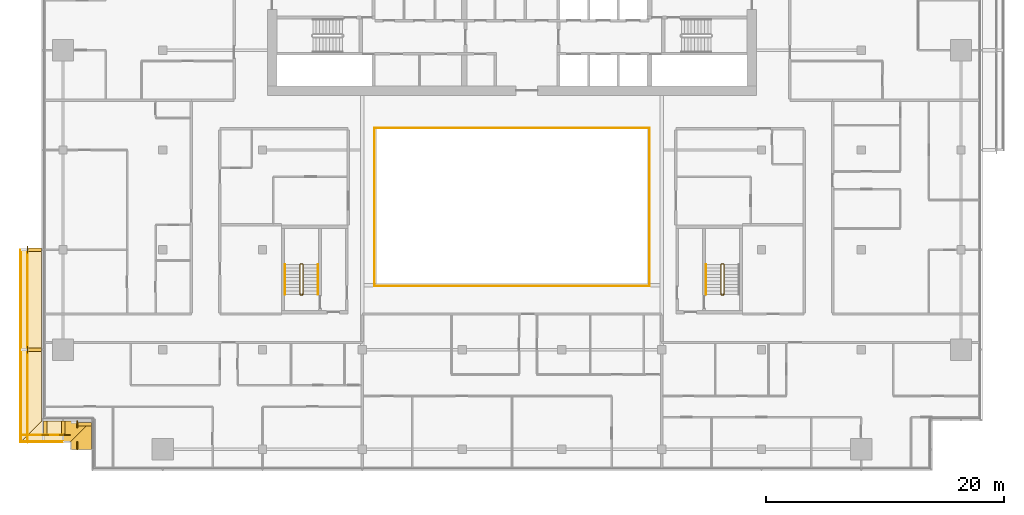
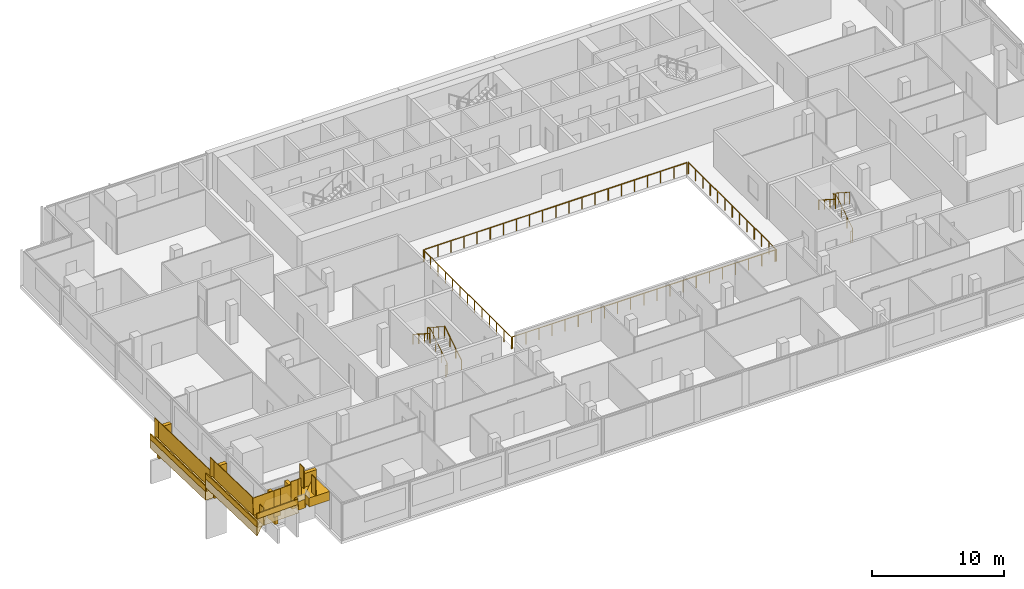
# One storey, part 25 of 29: 19 railings, 13 coverings.
"""IFC4 building model written with IfcOpenShell, lengths in metres."""

from ifc_helpers import new_model, si_unit, direction, frame, origin, origin_2d, place, context, subcontext, project, spatial, polyline, rectangle, circle, outline, extrude, material, layer, layer_set, type_object, element, save


model = new_model("IFC4")

# Units and contexts
model_context = context("Model", 3, precision=1e-05, world=origin(), true_north=direction((0.0, 1.0)))
body_context = subcontext(model_context, "Body", "Model", "MODEL_VIEW")
ifc_project = project(units=[si_unit("LENGTHUNIT", "METRE"), si_unit("AREAUNIT", "SQUARE_METRE"), si_unit("VOLUMEUNIT", "CUBIC_METRE"), si_unit("PLANEANGLEUNIT", "RADIAN"), si_unit("MASSUNIT", "GRAM", prefix="KILO")], contexts=[model_context])

# Site, building, storey
site_placement = place(None, origin())
site = spatial("IfcSite", under=ifc_project, at=site_placement, CompositionType="ELEMENT")
building_placement = place(site_placement, origin())
building = spatial("IfcBuilding", under=site, at=building_placement, Name="Saffron Gate Tower", CompositionType="ELEMENT")
storey_placement = place(building_placement, frame((0.0, 0.0, 187.050048828125)))
storey = spatial("IfcBuildingStorey", under=building, at=storey_placement, Name="L46", CompositionType="ELEMENT", Elevation=187.050048828125)

# Railings
ifc_material_1 = material(Name="Stainless steel and laminated glass", Category="steel")
railing_type_1 = type_object("IfcRailingType", Name="AG1 Atrium edge guard 1100", PredefinedType="GUARDRAIL", material=ifc_material_1)
railing_1_placement = place(storey_placement, frame((76.02001953125, 45.5400390625, 0.0)))
element("IfcRailing", 1, at=railing_1_placement, inside=storey, type_object=railing_type_1, Name="Guard C4-1", PredefinedType="GUARDRAIL", context=body_context, shape_type="SweptSolid", body=[
    extrude(circle(Radius=0.02392578125, at=origin_2d()), frame((0.0, 0.0, 1.076171875), z_axis=(0.0, 1.0, 0.0), x_axis=(-1.0, 0.0, 0.0)), (0.0, 0.0, 1.0), 13.320068359375),
    extrude(circle(Radius=0.02099609375, at=origin_2d()), origin(), (0.0, 0.0, 1.0), 1.052001953125),
    extrude(circle(Radius=0.02099609375, at=origin_2d()), frame((0.0, 1.110107421875, 0.0)), (0.0, 0.0, 1.0), 1.052001953125),
    extrude(circle(Radius=0.02099609375, at=origin_2d()), frame((0.0, 2.219970703125, 0.0)), (0.0, 0.0, 1.0), 1.052001953125),
    extrude(circle(Radius=0.02099609375, at=origin_2d()), frame((0.0, 3.330078125, 0.0)), (0.0, 0.0, 1.0), 1.052001953125),
    extrude(circle(Radius=0.02099609375, at=origin_2d()), frame((0.0, 4.43994140625, 0.0)), (0.0, 0.0, 1.0), 1.052001953125),
    extrude(circle(Radius=0.02099609375, at=origin_2d()), frame((0.0, 5.550048828125, 0.0)), (0.0, 0.0, 1.0), 1.052001953125),
    extrude(circle(Radius=0.02099609375, at=origin_2d()), frame((0.0, 6.66015625, 0.0)), (0.0, 0.0, 1.0), 1.052001953125),
    extrude(circle(Radius=0.02099609375, at=origin_2d()), frame((0.0, 7.77001953125, 0.0)), (0.0, 0.0, 1.0), 1.052001953125),
    extrude(circle(Radius=0.02099609375, at=origin_2d()), frame((0.0, 8.880126953125, 0.0)), (0.0, 0.0, 1.0), 1.052001953125),
    extrude(circle(Radius=0.02099609375, at=origin_2d()), frame((0.0, 9.989990234375, 0.0)), (0.0, 0.0, 1.0), 1.052001953125),
    extrude(circle(Radius=0.02099609375, at=origin_2d()), frame((0.0, 11.10009765625, 0.0)), (0.0, 0.0, 1.0), 1.052001953125),
    extrude(circle(Radius=0.02099609375, at=origin_2d()), frame((0.0, 12.2099609375, 0.0)), (0.0, 0.0, 1.0), 1.052001953125),
    extrude(circle(Radius=0.02099609375, at=origin_2d()), frame((0.0, 13.320068359375, 0.0)), (0.0, 0.0, 1.0), 1.052001953125),
])
railing_2_placement = place(storey_placement, frame((76.139892578125, 58.860107421875, 0.0)))
element("IfcRailing", 2, at=railing_2_placement, inside=storey, type_object=railing_type_1, Name="Guard C4-2", PredefinedType="GUARDRAIL", context=body_context, shape_type="SweptSolid", body=[
    extrude(circle(Radius=0.02392578125, at=origin_2d()), frame((0.0, 0.0, 1.076171875), z_axis=(1.0, 0.0, 0.0), x_axis=(0.0, 1.0, 0.0)), (0.0, 0.0, 1.0), 22.920166015625),
    extrude(circle(Radius=0.02099609375, at=origin_2d()), origin(), (0.0, 0.0, 1.0), 1.052001953125),
    extrude(circle(Radius=0.02099609375, at=origin_2d()), frame((1.14599609375, 0.0, 0.0)), (0.0, 0.0, 1.0), 1.052001953125),
    extrude(circle(Radius=0.02099609375, at=origin_2d()), frame((2.2919921875, 0.0, 0.0)), (0.0, 0.0, 1.0), 1.052001953125),
    extrude(circle(Radius=0.02099609375, at=origin_2d()), frame((3.43798828125, 0.0, 0.0)), (0.0, 0.0, 1.0), 1.052001953125),
    extrude(circle(Radius=0.02099609375, at=origin_2d()), frame((4.583984375, 0.0, 0.0)), (0.0, 0.0, 1.0), 1.052001953125),
    extrude(circle(Radius=0.02099609375, at=origin_2d()), frame((5.72998046875, 0.0, 0.0)), (0.0, 0.0, 1.0), 1.052001953125),
    extrude(circle(Radius=0.02099609375, at=origin_2d()), frame((6.8759765625, 0.0, 0.0)), (0.0, 0.0, 1.0), 1.052001953125),
    extrude(circle(Radius=0.02099609375, at=origin_2d()), frame((8.02197265625, 0.0, 0.0)), (0.0, 0.0, 1.0), 1.052001953125),
    extrude(circle(Radius=0.02099609375, at=origin_2d()), frame((9.16796875, 0.0, 0.0)), (0.0, 0.0, 1.0), 1.052001953125),
    extrude(circle(Radius=0.02099609375, at=origin_2d()), frame((10.31396484375, 0.0, 0.0)), (0.0, 0.0, 1.0), 1.052001953125),
    extrude(circle(Radius=0.02099609375, at=origin_2d()), frame((11.4599609375, 0.0, 0.0)), (0.0, 0.0, 1.0), 1.052001953125),
    extrude(circle(Radius=0.02099609375, at=origin_2d()), frame((12.606201171875, 0.0, 0.0)), (0.0, 0.0, 1.0), 1.052001953125),
    extrude(circle(Radius=0.02099609375, at=origin_2d()), frame((13.752197265625, 0.0, 0.0)), (0.0, 0.0, 1.0), 1.052001953125),
    extrude(circle(Radius=0.02099609375, at=origin_2d()), frame((14.898193359375, 0.0, 0.0)), (0.0, 0.0, 1.0), 1.052001953125),
    extrude(circle(Radius=0.02099609375, at=origin_2d()), frame((16.044189453125, 0.0, 0.0)), (0.0, 0.0, 1.0), 1.052001953125),
    extrude(circle(Radius=0.02099609375, at=origin_2d()), frame((17.190185546875, 0.0, 0.0)), (0.0, 0.0, 1.0), 1.052001953125),
    extrude(circle(Radius=0.02099609375, at=origin_2d()), frame((18.336181640625, 0.0, 0.0)), (0.0, 0.0, 1.0), 1.052001953125),
    extrude(circle(Radius=0.02099609375, at=origin_2d()), frame((19.482177734375, 0.0, 0.0)), (0.0, 0.0, 1.0), 1.052001953125),
    extrude(circle(Radius=0.02099609375, at=origin_2d()), frame((20.628173828125, 0.0, 0.0)), (0.0, 0.0, 1.0), 1.052001953125),
    extrude(circle(Radius=0.02099609375, at=origin_2d()), frame((21.774169921875, 0.0, 0.0)), (0.0, 0.0, 1.0), 1.052001953125),
    extrude(circle(Radius=0.02099609375, at=origin_2d()), frame((22.920166015625, 0.0, 0.0)), (0.0, 0.0, 1.0), 1.052001953125),
])
railing_3_placement = place(storey_placement, frame((99.179931640625, 58.860107421875, 0.0)))
element("IfcRailing", 3, at=railing_3_placement, inside=storey, type_object=railing_type_1, Name="Guard C4-3", PredefinedType="GUARDRAIL", context=body_context, shape_type="SweptSolid", body=[
    extrude(circle(Radius=0.02392578125, at=origin_2d()), frame((0.0, 0.0, 1.076171875), z_axis=(0.0, -1.0, 0.0), x_axis=(1.0, 0.0, 0.0)), (0.0, 0.0, 1.0), 13.320068359375),
    extrude(circle(Radius=0.02099609375, at=origin_2d()), origin(), (0.0, 0.0, 1.0), 1.052001953125),
    extrude(circle(Radius=0.02099609375, at=origin_2d()), frame((0.0, -1.110107421875, 0.0)), (0.0, 0.0, 1.0), 1.052001953125),
    extrude(circle(Radius=0.02099609375, at=origin_2d()), frame((0.0, -2.219970703125, 0.0)), (0.0, 0.0, 1.0), 1.052001953125),
    extrude(circle(Radius=0.02099609375, at=origin_2d()), frame((0.0, -3.330078125, 0.0)), (0.0, 0.0, 1.0), 1.052001953125),
    extrude(circle(Radius=0.02099609375, at=origin_2d()), frame((0.0, -4.43994140625, 0.0)), (0.0, 0.0, 1.0), 1.052001953125),
    extrude(circle(Radius=0.02099609375, at=origin_2d()), frame((0.0, -5.550048828125, 0.0)), (0.0, 0.0, 1.0), 1.052001953125),
    extrude(circle(Radius=0.02099609375, at=origin_2d()), frame((0.0, -6.66015625, 0.0)), (0.0, 0.0, 1.0), 1.052001953125),
    extrude(circle(Radius=0.02099609375, at=origin_2d()), frame((0.0, -7.77001953125, 0.0)), (0.0, 0.0, 1.0), 1.052001953125),
    extrude(circle(Radius=0.02099609375, at=origin_2d()), frame((0.0, -8.880126953125, 0.0)), (0.0, 0.0, 1.0), 1.052001953125),
    extrude(circle(Radius=0.02099609375, at=origin_2d()), frame((0.0, -9.989990234375, 0.0)), (0.0, 0.0, 1.0), 1.052001953125),
    extrude(circle(Radius=0.02099609375, at=origin_2d()), frame((0.0, -11.10009765625, 0.0)), (0.0, 0.0, 1.0), 1.052001953125),
    extrude(circle(Radius=0.02099609375, at=origin_2d()), frame((0.0, -12.2099609375, 0.0)), (0.0, 0.0, 1.0), 1.052001953125),
    extrude(circle(Radius=0.02099609375, at=origin_2d()), frame((0.0, -13.320068359375, 0.0)), (0.0, 0.0, 1.0), 1.052001953125),
])
railing_4_placement = place(storey_placement, frame((99.06005859375, 45.5400390625, 0.0)))
element("IfcRailing", 4, at=railing_4_placement, inside=storey, type_object=railing_type_1, Name="Guard C4-4", PredefinedType="GUARDRAIL", context=body_context, shape_type="SweptSolid", body=[
    extrude(circle(Radius=0.02392578125, at=origin_2d()), frame((0.0, 0.0, 1.076171875), z_axis=(-1.0, 0.0, 0.0), x_axis=(0.0, -1.0, 0.0)), (0.0, 0.0, 1.0), 22.920166015625),
    extrude(circle(Radius=0.02099609375, at=origin_2d()), origin(), (0.0, 0.0, 1.0), 1.052001953125),
    extrude(circle(Radius=0.02099609375, at=origin_2d()), frame((-1.14599609375, 0.0, 0.0)), (0.0, 0.0, 1.0), 1.052001953125),
    extrude(circle(Radius=0.02099609375, at=origin_2d()), frame((-2.2919921875, 0.0, 0.0)), (0.0, 0.0, 1.0), 1.052001953125),
    extrude(circle(Radius=0.02099609375, at=origin_2d()), frame((-3.43798828125, 0.0, 0.0)), (0.0, 0.0, 1.0), 1.052001953125),
    extrude(circle(Radius=0.02099609375, at=origin_2d()), frame((-4.583984375, 0.0, 0.0)), (0.0, 0.0, 1.0), 1.052001953125),
    extrude(circle(Radius=0.02099609375, at=origin_2d()), frame((-5.72998046875, 0.0, 0.0)), (0.0, 0.0, 1.0), 1.052001953125),
    extrude(circle(Radius=0.02099609375, at=origin_2d()), frame((-6.8759765625, 0.0, 0.0)), (0.0, 0.0, 1.0), 1.052001953125),
    extrude(circle(Radius=0.02099609375, at=origin_2d()), frame((-8.02197265625, 0.0, 0.0)), (0.0, 0.0, 1.0), 1.052001953125),
    extrude(circle(Radius=0.02099609375, at=origin_2d()), frame((-9.16796875, 0.0, 0.0)), (0.0, 0.0, 1.0), 1.052001953125),
    extrude(circle(Radius=0.02099609375, at=origin_2d()), frame((-10.31396484375, 0.0, 0.0)), (0.0, 0.0, 1.0), 1.052001953125),
    extrude(circle(Radius=0.02099609375, at=origin_2d()), frame((-11.4599609375, 0.0, 0.0)), (0.0, 0.0, 1.0), 1.052001953125),
    extrude(circle(Radius=0.02099609375, at=origin_2d()), frame((-12.606201171875, 0.0, 0.0)), (0.0, 0.0, 1.0), 1.052001953125),
    extrude(circle(Radius=0.02099609375, at=origin_2d()), frame((-13.752197265625, 0.0, 0.0)), (0.0, 0.0, 1.0), 1.052001953125),
    extrude(circle(Radius=0.02099609375, at=origin_2d()), frame((-14.898193359375, 0.0, 0.0)), (0.0, 0.0, 1.0), 1.052001953125),
    extrude(circle(Radius=0.02099609375, at=origin_2d()), frame((-16.044189453125, 0.0, 0.0)), (0.0, 0.0, 1.0), 1.052001953125),
    extrude(circle(Radius=0.02099609375, at=origin_2d()), frame((-17.190185546875, 0.0, 0.0)), (0.0, 0.0, 1.0), 1.052001953125),
    extrude(circle(Radius=0.02099609375, at=origin_2d()), frame((-18.336181640625, 0.0, 0.0)), (0.0, 0.0, 1.0), 1.052001953125),
    extrude(circle(Radius=0.02099609375, at=origin_2d()), frame((-19.482177734375, 0.0, 0.0)), (0.0, 0.0, 1.0), 1.052001953125),
    extrude(circle(Radius=0.02099609375, at=origin_2d()), frame((-20.628173828125, 0.0, 0.0)), (0.0, 0.0, 1.0), 1.052001953125),
    extrude(circle(Radius=0.02099609375, at=origin_2d()), frame((-21.774169921875, 0.0, 0.0)), (0.0, 0.0, 1.0), 1.052001953125),
    extrude(circle(Radius=0.02099609375, at=origin_2d()), frame((-22.920166015625, 0.0, 0.0)), (0.0, 0.0, 1.0), 1.052001953125),
])
railing_type_2 = type_object("IfcRailingType", Name="CR1 Stair guard 1100", PredefinedType="GUARDRAIL", material=ifc_material_1)
railing_5_placement = place(storey_placement, frame((69.800048828125, 44.800048828125, 0.0)))
element("IfcRailing", 5, at=railing_5_placement, inside=storey, type_object=railing_type_2, Name="L46 ST-D stair guard 1", PredefinedType="GUARDRAIL", context=body_context, shape_type="SweptSolid", body=[
    extrude(circle(Radius=0.02392578125, at=origin_2d()), frame((0.0, 0.0, 1.076171875), z_axis=(1.0, 0.0, 0.0), x_axis=(0.0, 1.0, 0.0)), (0.0, 0.0, 1.0), 0.14990234375),
    extrude(circle(Radius=0.02392578125, at=origin_2d()), frame((0.14990234375, 0.0, 1.076171875), z_axis=(0.258847668887, 0.258847668887, 0.930588936439), x_axis=(-0.707106781187, 0.707106781187, 0.0)), (0.0, 0.0, 1.0), 0.193359375),
    extrude(circle(Radius=0.02392578125, at=origin_2d()), frame((0.199951171875, 0.050048828125, 1.255859375), z_axis=(0.0, 0.841162588446, 0.540782303519), x_axis=(-1.0, 0.0, 0.0)), (0.0, 0.0, 1.0), 2.995849609375),
    extrude(circle(Radius=0.02392578125, at=origin_2d()), frame((0.199951171875, 2.570068359375, 2.8759765625), z_axis=(-0.708833529934, 0.705375805398, 0.0), x_axis=(-0.705375805398, -0.708833529934, 0.0)), (0.0, 0.0, 1.0), 0.070556640625),
    extrude(circle(Radius=0.02392578125, at=origin_2d()), frame((0.14990234375, 2.619873046875, 2.8759765625), z_axis=(-1.0, 0.0, 0.0), x_axis=(0.0, -1.0, 0.0)), (0.0, 0.0, 1.0), 0.14990234375),
    extrude(circle(Radius=0.02392578125, at=origin_2d()), frame((0.0, 2.619873046875, 2.8759765625), z_axis=(-0.258932105505, -0.257669022063, 0.930892496375), x_axis=(0.705375805398, -0.708833529934, 0.0)), (0.0, 0.0, 1.0), 0.193359375),
    extrude(circle(Radius=0.02392578125, at=origin_2d()), frame((-0.050048828125, 2.570068359375, 3.05615234375), z_axis=(0.0, -0.841199657755, 0.540724639528), x_axis=(1.0, 0.0, 0.0)), (0.0, 0.0, 1.0), 2.995849609375),
    extrude(circle(Radius=0.02099609375, at=origin_2d()), origin(), (0.0, 0.0, 1.0), 1.052001953125),
    extrude(circle(Radius=0.02099609375, at=origin_2d()), frame((0.14990234375, 0.0, 0.0)), (0.0, 0.0, 1.0), 1.052001953125),
    extrude(circle(Radius=0.02099609375, at=origin_2d()), frame((0.199951171875, 0.050048828125, 0.179931640625)), (0.0, 0.0, 1.0), 1.052001953125),
    extrude(circle(Radius=0.02099609375, at=origin_2d()), frame((0.199951171875, 0.89013671875, 0.719970703125)), (0.0, 0.0, 1.0), 1.052001953125),
    extrude(circle(Radius=0.02099609375, at=origin_2d()), frame((0.199951171875, 1.72998046875, 1.260009765625)), (0.0, 0.0, 1.0), 1.052001953125),
    extrude(circle(Radius=0.02099609375, at=origin_2d()), frame((0.199951171875, 2.570068359375, 1.800048828125)), (0.0, 0.0, 1.0), 1.052001953125),
    extrude(circle(Radius=0.02099609375, at=origin_2d()), frame((0.14990234375, 2.619873046875, 1.800048828125)), (0.0, 0.0, 1.0), 1.052001953125),
    extrude(circle(Radius=0.02099609375, at=origin_2d()), frame((0.0, 2.619873046875, 1.800048828125)), (0.0, 0.0, 1.0), 1.052001953125),
    extrude(circle(Radius=0.02099609375, at=origin_2d()), frame((-0.050048828125, 2.570068359375, 1.97998046875)), (0.0, 0.0, 1.0), 1.052001953125),
    extrude(circle(Radius=0.02099609375, at=origin_2d()), frame((-0.050048828125, 1.72998046875, 2.52001953125)), (0.0, 0.0, 1.0), 1.052001953125),
    extrude(circle(Radius=0.02099609375, at=origin_2d()), frame((-0.050048828125, 0.89013671875, 3.059814453125)), (0.0, 0.0, 1.0), 1.052001953125),
    extrude(circle(Radius=0.02099609375, at=origin_2d()), frame((-0.050048828125, 0.050048828125, 3.599853515625)), (0.0, 0.0, 1.0), 1.052001953125),
])
railing_6_placement = place(storey_placement, frame((105.25, 44.800048828125, 0.0)))
element("IfcRailing", 6, at=railing_6_placement, inside=storey, type_object=railing_type_2, Name="L46 ST-E stair guard 1", PredefinedType="GUARDRAIL", context=body_context, shape_type="SweptSolid", body=[
    extrude(circle(Radius=0.02392578125, at=origin_2d()), frame((0.0, 0.0, 1.076171875), z_axis=(1.0, 0.0, 0.0), x_axis=(0.0, 1.0, 0.0)), (0.0, 0.0, 1.0), 0.14990234375),
    extrude(circle(Radius=0.02392578125, at=origin_2d()), frame((0.14990234375, 0.0, 1.076171875), z_axis=(0.258847668887, 0.258847668887, 0.930588936439), x_axis=(-0.707106781187, 0.707106781187, 0.0)), (0.0, 0.0, 1.0), 0.193359375),
    extrude(circle(Radius=0.02392578125, at=origin_2d()), frame((0.199951171875, 0.050048828125, 1.255859375), z_axis=(0.0, 0.841162588446, 0.540782303519), x_axis=(-1.0, 0.0, 0.0)), (0.0, 0.0, 1.0), 2.995849609375),
    extrude(circle(Radius=0.02392578125, at=origin_2d()), frame((0.199951171875, 2.570068359375, 2.8759765625), z_axis=(-0.708833529934, 0.705375805398, 0.0), x_axis=(-0.705375805398, -0.708833529934, 0.0)), (0.0, 0.0, 1.0), 0.070556640625),
    extrude(circle(Radius=0.02392578125, at=origin_2d()), frame((0.14990234375, 2.619873046875, 2.8759765625), z_axis=(-1.0, 0.0, 0.0), x_axis=(0.0, -1.0, 0.0)), (0.0, 0.0, 1.0), 0.14990234375),
    extrude(circle(Radius=0.02392578125, at=origin_2d()), frame((0.0, 2.619873046875, 2.8759765625), z_axis=(-0.258932105505, -0.257669022063, 0.930892496375), x_axis=(0.705375805398, -0.708833529934, 0.0)), (0.0, 0.0, 1.0), 0.193359375),
    extrude(circle(Radius=0.02392578125, at=origin_2d()), frame((-0.050048828125, 2.570068359375, 3.05615234375), z_axis=(0.0, -0.841199657755, 0.540724639528), x_axis=(1.0, 0.0, 0.0)), (0.0, 0.0, 1.0), 2.995849609375),
    extrude(circle(Radius=0.02099609375, at=origin_2d()), origin(), (0.0, 0.0, 1.0), 1.052001953125),
    extrude(circle(Radius=0.02099609375, at=origin_2d()), frame((0.14990234375, 0.0, 0.0)), (0.0, 0.0, 1.0), 1.052001953125),
    extrude(circle(Radius=0.02099609375, at=origin_2d()), frame((0.199951171875, 0.050048828125, 0.179931640625)), (0.0, 0.0, 1.0), 1.052001953125),
    extrude(circle(Radius=0.02099609375, at=origin_2d()), frame((0.199951171875, 0.89013671875, 0.719970703125)), (0.0, 0.0, 1.0), 1.052001953125),
    extrude(circle(Radius=0.02099609375, at=origin_2d()), frame((0.199951171875, 1.72998046875, 1.260009765625)), (0.0, 0.0, 1.0), 1.052001953125),
    extrude(circle(Radius=0.02099609375, at=origin_2d()), frame((0.199951171875, 2.570068359375, 1.800048828125)), (0.0, 0.0, 1.0), 1.052001953125),
    extrude(circle(Radius=0.02099609375, at=origin_2d()), frame((0.14990234375, 2.619873046875, 1.800048828125)), (0.0, 0.0, 1.0), 1.052001953125),
    extrude(circle(Radius=0.02099609375, at=origin_2d()), frame((0.0, 2.619873046875, 1.800048828125)), (0.0, 0.0, 1.0), 1.052001953125),
    extrude(circle(Radius=0.02099609375, at=origin_2d()), frame((-0.050048828125, 2.570068359375, 1.97998046875)), (0.0, 0.0, 1.0), 1.052001953125),
    extrude(circle(Radius=0.02099609375, at=origin_2d()), frame((-0.050048828125, 1.72998046875, 2.52001953125)), (0.0, 0.0, 1.0), 1.052001953125),
    extrude(circle(Radius=0.02099609375, at=origin_2d()), frame((-0.050048828125, 0.89013671875, 3.059814453125)), (0.0, 0.0, 1.0), 1.052001953125),
    extrude(circle(Radius=0.02099609375, at=origin_2d()), frame((-0.050048828125, 0.050048828125, 3.599853515625)), (0.0, 0.0, 1.0), 1.052001953125),
])
ifc_material_2 = material(Name="Stainless steel", Category="steel")
railing_type_3 = type_object("IfcRailingType", Name="CR2 Stair handrail 900", PredefinedType="HANDRAIL", material=ifc_material_2)
railing_7_placement = place(storey_placement, frame((71.25, 44.85009765625, 0.179931640625)))
element("IfcRailing", 7, at=railing_7_placement, inside=storey, type_object=railing_type_3, Name="L46 ST-D stair handrail 1", PredefinedType="HANDRAIL", context=body_context, shape_type="SweptSolid", body=[
    extrude(circle(Radius=0.02392578125, at=origin_2d()), frame((0.0, 0.0, 0.8759765625), z_axis=(0.0, 0.841162588446, 0.540782303519), x_axis=(-1.0, 0.0, 0.0)), (0.0, 0.0, 1.0), 2.995849609375),
    extrude(circle(Radius=0.02099609375, at=origin_2d()), origin(), (0.0, 0.0, 1.0), 0.851806640625),
    extrude(circle(Radius=0.02099609375, at=origin_2d()), frame((0.0, 0.840087890625, 0.5400390625)), (0.0, 0.0, 1.0), 0.851806640625),
    extrude(circle(Radius=0.02099609375, at=origin_2d()), frame((0.0, 1.679931640625, 1.080078125)), (0.0, 0.0, 1.0), 0.851806640625),
    extrude(circle(Radius=0.02099609375, at=origin_2d()), frame((0.0, 2.52001953125, 1.6201171875)), (0.0, 0.0, 1.0), 0.851806640625),
])
for number, where, name in (
    (8, (68.5, 47.3701171875, 1.97998046875), "L46 ST-D stair handrail 2"),
    (9, (103.949951171875, 47.3701171875, 1.97998046875), "L46 ST-E stair handrail 2"),
):
    element("IfcRailing", number, at=place(storey_placement, frame(where)), inside=storey, type_object=railing_type_3, Name=name, PredefinedType="HANDRAIL", context=body_context, shape_type="SweptSolid", body=[
        extrude(circle(Radius=0.02392578125, at=origin_2d()), frame((0.0, 0.0, 0.8759765625), z_axis=(0.0, -0.841199657755, 0.540724639528), x_axis=(1.0, 0.0, 0.0)), (0.0, 0.0, 1.0), 2.995849609375),
        extrude(circle(Radius=0.02099609375, at=origin_2d()), origin(), (0.0, 0.0, 1.0), 0.851806640625),
        extrude(circle(Radius=0.02099609375, at=origin_2d()), frame((0.0, -0.840087890625, 0.5400390625)), (0.0, 0.0, 1.0), 0.851806640625),
        extrude(circle(Radius=0.02099609375, at=origin_2d()), frame((0.0, -1.679931640625, 1.079833984375)), (0.0, 0.0, 1.0), 0.851806640625),
        extrude(circle(Radius=0.02099609375, at=origin_2d()), frame((0.0, -2.52001953125, 1.619873046875)), (0.0, 0.0, 1.0), 0.851806640625),
    ])

# Coverings
ifc_material_3 = material(Name="Timber, thermally modified ash", Category="wood")
ifc_layer_1 = layer(ifc_material_3, 0.800048828125)
ifc_layer_set_1 = layer_set([ifc_layer_1], Name="LD1 ledge timber")
covering_type_1 = type_object("IfcCoveringType", Name="LD1 ledge timber", PredefinedType="CLADDING", material=ifc_layer_set_1)
covering_1_placement = place(storey_placement, frame((48.0, 48.60009765625, 0.2431640625), z_axis=(0.0, 0.028790339263, 0.999585472266), x_axis=(0.0, -0.999585472266, 0.028790339263)))
element("IfcCovering", 10, at=covering_1_placement, inside=storey, type_object=covering_type_1, Name="LEDGE", PredefinedType="CLADDING", context=body_context, shape_type="SweptSolid", body=[
    extrude(outline(polyline([(0.0, 0.0), (8.403630022085892, 0.0), (8.403630022085892, -1.800048828125), (0.0, -1.800048828125), (0.0, 0.0)])), origin(), (0.0, 0.0, -1.0), 0.800048828125),
])
covering_2_placement = place(storey_placement, frame((48.0, 40.199951171875, 1.685302734375), z_axis=(3.5027307e-05, 0.028807146299, 0.99958498743), x_axis=(3.68e-10, -0.999584988043, 0.028807146316)))
element("IfcCovering", 11, at=covering_2_placement, inside=storey, type_object=covering_type_1, Name="LEDGE", PredefinedType="CLADDING", context=body_context, shape_type="SweptSolid", body=[
    extrude(outline(polyline([(0.0, 0.0), (6.0024892885105, -2.541098841762901e-21), (7.8032891020589235, -1.8000488321003227), (-6.622937652878055e-10, -1.8000488270207489), (0.0, 0.0)])), origin(), (0.0, 0.0, -1.0), 0.800048828125),
])
covering_3_placement = place(storey_placement, frame((48.0, 34.199951171875, 2.715576171875), z_axis=(-0.028831989003, 4.5191205e-05, 0.999584270769), x_axis=(0.999584271789, -2.041e-09, 0.028831989032)))
element("IfcCovering", 12, at=covering_3_placement, inside=storey, type_object=covering_type_1, Name="LEDGE", PredefinedType="CLADDING", context=body_context, shape_type="SweptSolid", body=[
    extrude(outline(polyline([(0.0, 0.0), (1.8007998167885757, 0.0), (1.8007998204631834, -1.80004882628693), (-1.8007927740541456, -1.800048837315338), (0.0, 0.0)])), origin(), (0.0, 0.0, -1.0), 0.800048828125),
])
covering_4_placement = place(storey_placement, frame((49.800048828125, 34.199951171875, 3.024658203125), z_axis=(-0.028798988267, 2.8677152e-05, 0.999585222706), x_axis=(0.999585223117, 6.17e-10, 0.028798988279)))
element("IfcCovering", 13, at=covering_4_placement, inside=storey, type_object=covering_type_1, Name="LEDGE", PredefinedType="CLADDING", context=body_context, shape_type="SweptSolid", body=[
    extrude(outline(polyline([(0.0, 0.0), (2.400896693585025, 4.235164736271502e-22), (0.6001039103565923, -1.8000488292351675), (-1.1098572600196767e-09, -1.8000488273848385), (0.0, 0.0)])), origin(), (0.0, 0.0, -1.0), 0.800048828125),
])
covering_5_placement = place(storey_placement, frame((52.199951171875, 34.199951171875, 3.436767578125), z_axis=(7.9786444e-05, 0.028717702301, 0.99958755855), x_axis=(-4.773e-09, -0.999587561732, 0.028717702392)))
element("IfcCovering", 14, at=covering_5_placement, inside=storey, type_object=covering_type_1, Name="LEDGE", PredefinedType="CLADDING", context=body_context, shape_type="SweptSolid", body=[
    extrude(outline(polyline([(0.0, 0.0), (2.400896689844359, 8.470329472543003e-22), (2.400896698435549, -1.8000488223955553), (1.8007998043088487, -1.800048836718559), (0.0, 0.0)])), origin(), (0.0, 0.0, -1.0), 0.800048828125),
])
ifc_layer_2 = layer(ifc_material_3, 0.080078125)
ifc_layer_set_2 = layer_set([ifc_layer_2], Name="LD2 ledge planter trough")
covering_type_2 = type_object("IfcCoveringType", Name="LD2 ledge planter trough", PredefinedType="CLADDING", material=ifc_layer_set_2)
covering_6_placement = place(storey_placement, frame((46.199951171875, 48.60009765625, 0.2431640625), z_axis=(-1.0, 0.0, 0.0), x_axis=(0.0, -0.999585472266, 0.028790339263)))
element("IfcCovering", 15, at=covering_6_placement, inside=storey, type_object=covering_type_2, Name="LEDGE planter trough", PredefinedType="CLADDING", context=body_context, shape_type="SweptSolid", body=[
    extrude(outline(polyline([(0.0, 0.0), (8.403630022085892, 0.0), (8.418025191717298, 0.4997927361329725), (0.014395169631405694, 0.4997927361329725), (0.0, 0.0)])), origin(), (0.0, 0.0, -1.0), 0.080078125),
])
covering_7_placement = place(storey_placement, frame((46.199951171875, 40.199951171875, 1.685302734375), z_axis=(-1.0, 0.0, 0.0), x_axis=(0.0, -0.999584755248, 0.028815222999)))
element("IfcCovering", 16, at=covering_7_placement, inside=storey, type_object=covering_type_2, Name="LEDGE planter trough", PredefinedType="CLADDING", context=body_context, shape_type="SweptSolid", body=[
    extrude(outline(polyline([(0.0, 0.0), (7.803289102975944, 0.0), (7.8176967144752565, 0.4997923776238338), (0.014407611499312996, 0.4997923776238338), (0.0, 0.0)])), origin(), (0.0, 0.0, -1.0), 0.080078125),
])
covering_8_placement = place(storey_placement, frame((46.199951171875, 32.39990234375, 2.663818359375), z_axis=(0.0, -1.0, 0.0), x_axis=(0.99958492274, 0.0, 0.028809412191)))
element("IfcCovering", 17, at=covering_8_placement, inside=storey, type_object=covering_type_2, Name="LEDGE planter trough", PredefinedType="CLADDING", context=body_context, shape_type="SweptSolid", body=[
    extrude(outline(polyline([(0.0, 0.0), (3.601592595435983, 0.0), (3.6159973015313485, 0.4997924613700232), (0.014404706095365512, 0.4997924613700232), (0.0, 0.0)])), origin(), (0.0, 0.0, -1.0), 0.080078125),
])
ifc_layer_3 = layer(ifc_material_3, 0.300048828125)
ifc_layer_set_3 = layer_set([ifc_layer_3], Name="LD3 ledge riser fin")
covering_type_3 = type_object("IfcCoveringType", Name="LD3 ledge riser fin", PredefinedType="CLADDING", material=ifc_layer_set_3)
for number, where, z_axis, x_axis, name in (
    (18, (47.43994140625, 48.60009765625, -1.75732421875), (0.0, 0.0, 1.0), (0.0, -1.0, 0.0), "LEDGE riser fin"),
    (19, (47.43994140625, 40.199951171875, -0.31494140625), (0.0, 0.0, 1.0), (0.0, -1.0, 0.0), "LEDGE riser fin"),
):
    element("IfcCovering", number, at=place(storey_placement, frame(where, z_axis=z_axis, x_axis=x_axis)), inside=storey, type_object=covering_type_3, Name=name, PredefinedType="CLADDING", context=body_context, shape_type="SweptSolid", body=[
        extrude(rectangle(XDim=0.300048828125, YDim=1.1201171875, at=origin_2d()), origin(), (0.0, 0.0, 1.0), 2.900390625),
    ])
covering_9_placement = place(storey_placement, frame((48.300048828125, 33.639892578125, 1.05810546875), z_axis=(0.0, 0.0, 1.0), x_axis=(1.0, 0.0, 0.0)))
element("IfcCovering", 20, at=covering_9_placement, inside=storey, type_object=covering_type_3, Name="LEDGE riser fin", PredefinedType="CLADDING", context=body_context, shape_type="SweptSolid", body=[
    extrude(rectangle(XDim=0.300048828125, YDim=1.1201171875, at=origin_2d()), origin(), (0.0, 0.0, 1.0), 2.557373046875),
])
covering_10_placement = place(storey_placement, frame((49.800048828125, 33.639892578125, 1.96728515625), z_axis=(0.0, 0.0, 1.0), x_axis=(1.0, 0.0, 0.0)))
element("IfcCovering", 21, at=covering_10_placement, inside=storey, type_object=covering_type_3, Name="LEDGE riser fin", PredefinedType="CLADDING", context=body_context, shape_type="SweptSolid", body=[
    extrude(rectangle(XDim=0.300048828125, YDim=1.1201171875, at=origin_2d()), origin(), (0.0, 0.0, 1.0), 1.957275390625),
])
covering_11_placement = place(storey_placement, frame((51.639892578125, 33.89990234375, 2.2939453125), z_axis=(0.0, 0.0, 1.0), x_axis=(0.0, -1.0, 0.0)))
element("IfcCovering", 22, at=covering_11_placement, inside=storey, type_object=covering_type_3, Name="LEDGE riser fin", PredefinedType="CLADDING", context=body_context, shape_type="SweptSolid", body=[
    extrude(rectangle(XDim=0.300048828125, YDim=1.1201171875, at=origin_2d()), origin(), (0.0, 0.0, 1.0), 2.04296875),
])

# Railings
railing_type_4 = type_object("IfcRailingType", Name="LG1 ledge balustrade", PredefinedType="BALUSTRADE", material=ifc_material_3)
railing_8_placement = place(storey_placement, frame((46.800048828125, 48.60009765625, 0.2431640625)))
element("IfcRailing", 23, at=railing_8_placement, inside=storey, type_object=railing_type_4, Name="LEDGE BALUSTRADE", PredefinedType="BALUSTRADE", context=body_context, shape_type="SweptSolid", body=[
    extrude(rectangle(XDim=0.06005859375, YDim=1.60009765625, at=origin_2d()), frame((0.0, 0.0, 0.800048828125), z_axis=(0.0, -0.999585472266, 0.028790339263), x_axis=(1.0, 0.0, 0.0)), (0.0, 0.0, 1.0), 8.403564453125),
])
railing_9_placement = place(storey_placement, frame((46.800048828125, 48.89990234375, -0.957275390625)))
element("IfcRailing", 24, at=railing_9_placement, inside=storey, type_object=railing_type_4, Name="LEDGE BALUSTRADE", PredefinedType="BALUSTRADE", context=body_context, shape_type="SweptSolid", body=[
    extrude(rectangle(XDim=0.06005859375, YDim=2.80029296875, at=origin_2d()), frame((0.0, 0.0, 1.400146484375), z_axis=(0.0, -1.0, 0.0), x_axis=(1.0, 0.0, 0.0)), (0.0, 0.0, 1.0), 0.599853515625),
])
railing_10_placement = place(storey_placement, frame((46.800048828125, 40.199951171875, 1.685302734375)))
element("IfcRailing", 25, at=railing_10_placement, inside=storey, type_object=railing_type_4, Name="LEDGE BALUSTRADE", PredefinedType="BALUSTRADE", context=body_context, shape_type="SweptSolid", body=[
    extrude(rectangle(XDim=0.06005859375, YDim=1.60009765625, at=origin_2d()), frame((0.0, 0.0, 0.800048828125), z_axis=(0.0, -0.999584755248, 0.028815222999), x_axis=(1.0, 0.0, 0.0)), (0.0, 0.0, 1.0), 7.80322265625),
])
railing_11_placement = place(storey_placement, frame((46.800048828125, 40.5, 0.485107421875)))
element("IfcRailing", 26, at=railing_11_placement, inside=storey, type_object=railing_type_4, Name="LEDGE BALUSTRADE", PredefinedType="BALUSTRADE", context=body_context, shape_type="SweptSolid", body=[
    extrude(rectangle(XDim=0.06005859375, YDim=2.80029296875, at=origin_2d()), frame((0.0, 0.0, 1.400146484375), z_axis=(0.0, -1.0, 0.0), x_axis=(1.0, 0.0, 0.0)), (0.0, 0.0, 1.0), 0.60009765625),
])
railing_12_placement = place(storey_placement, frame((46.199951171875, 33.0, 2.663818359375)))
element("IfcRailing", 27, at=railing_12_placement, inside=storey, type_object=railing_type_4, Name="LEDGE BALUSTRADE", PredefinedType="BALUSTRADE", context=body_context, shape_type="SweptSolid", body=[
    extrude(rectangle(XDim=0.06005859375, YDim=1.60009765625, at=origin_2d()), frame((0.0, 0.0, 0.800048828125), z_axis=(0.99958492274, 0.0, 0.028809412191), x_axis=(0.0, 1.0, 0.0)), (0.0, 0.0, 1.0), 3.6015625),
])
railing_13_placement = place(storey_placement, frame((48.0, 33.0, 1.858154296875)))
element("IfcRailing", 28, at=railing_13_placement, inside=storey, type_object=railing_type_4, Name="LEDGE BALUSTRADE", PredefinedType="BALUSTRADE", context=body_context, shape_type="SweptSolid", body=[
    extrude(rectangle(XDim=0.06005859375, YDim=2.45751953125, at=origin_2d()), frame((0.0, 0.0, 1.228759765625), z_axis=(1.0, 0.0, 0.0), x_axis=(0.0, 1.0, 0.0)), (0.0, 0.0, 1.0), 0.60009765625),
])
railing_14_placement = place(storey_placement, frame((49.800048828125, 33.0, 3.024658203125)))
element("IfcRailing", 29, at=railing_14_placement, inside=storey, type_object=railing_type_4, Name="LEDGE BALUSTRADE", PredefinedType="BALUSTRADE", context=body_context, shape_type="SweptSolid", body=[
    extrude(rectangle(XDim=0.06005859375, YDim=1.60009765625, at=origin_2d()), frame((0.0, 0.0, 0.800048828125), z_axis=(0.999582742162, 0.0, 0.028884971385), x_axis=(0.0, 1.0, 0.0)), (0.0, 0.0, 1.0), 0.60009765625),
])
railing_15_placement = place(storey_placement, frame((49.5, 33.0, 2.767578125)))
element("IfcRailing", 30, at=railing_15_placement, inside=storey, type_object=railing_type_4, Name="LEDGE BALUSTRADE", PredefinedType="BALUSTRADE", context=body_context, shape_type="SweptSolid", body=[
    extrude(rectangle(XDim=0.06005859375, YDim=1.857177734375, at=origin_2d()), frame((0.0, 0.0, 0.9287109375), z_axis=(1.0, 0.0, 0.0), x_axis=(0.0, 1.0, 0.0)), (0.0, 0.0, 1.0), 0.60009765625),
])
railing_16_placement = place(storey_placement, frame((51.0, 32.39990234375, 3.48876953125)))
element("IfcRailing", 31, at=railing_16_placement, inside=storey, type_object=railing_type_4, Name="LEDGE BALUSTRADE", PredefinedType="BALUSTRADE", context=body_context, shape_type="SweptSolid", body=[
    extrude(rectangle(XDim=0.06005859375, YDim=1.60009765625, at=origin_2d()), frame((0.0, 0.0, 0.800048828125), z_axis=(0.0, -0.999594406032, 0.028478473106), x_axis=(1.0, 0.0, 0.0)), (0.0, 0.0, 1.0), 0.60009765625),
])
railing_17_placement = place(storey_placement, frame((51.0, 34.199951171875, 3.09375)))
element("IfcRailing", 32, at=railing_17_placement, inside=storey, type_object=railing_type_4, Name="LEDGE BALUSTRADE", PredefinedType="BALUSTRADE", context=body_context, shape_type="SweptSolid", body=[
    extrude(rectangle(XDim=0.06005859375, YDim=1.943115234375, at=origin_2d()), frame((0.0, 0.0, 0.9716796875), z_axis=(0.0, -1.0, 0.0), x_axis=(1.0, 0.0, 0.0)), (0.0, 0.0, 1.0), 0.599853515625),
])

save(model, "model.ifc")
